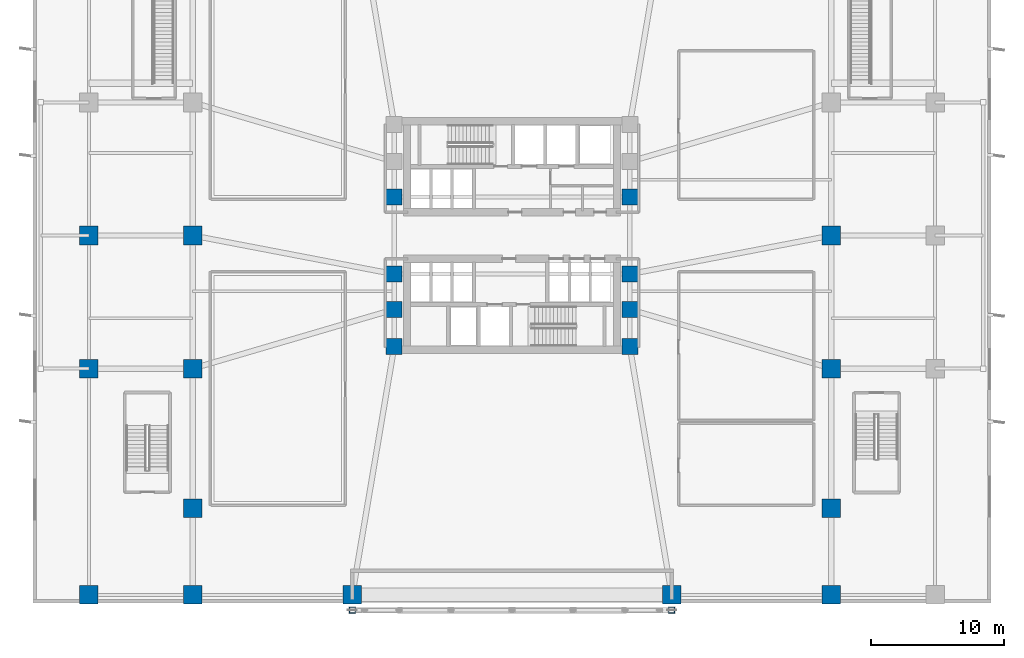
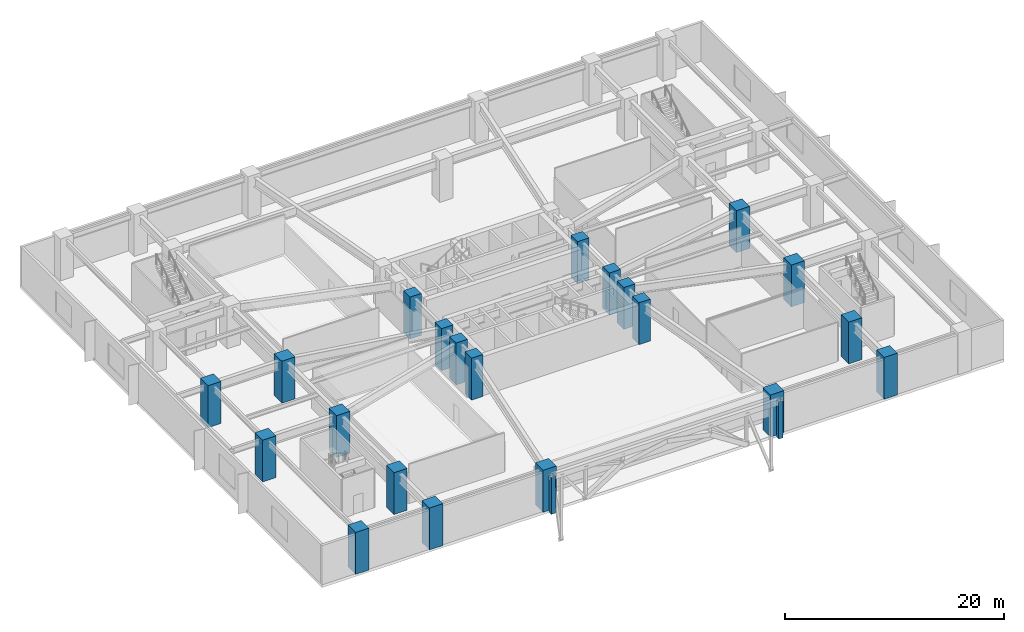
# One storey, part 1 of 21: 23 columns.
"""IFC4 building model written with IfcOpenShell, lengths in metres."""

import ifcopenshell
import ifcopenshell.guid

model = None  # the IFC model being written
_history = None  # IfcOwnerHistory: only IFC2X3 demands one
_inside = {}  # id of a spatial element -> (the spatial element, [elements in it])
_under = {}  # id of a project, library or spatial element -> (it, [spatial elements below it])
_declared = {}  # id of a project -> (the project, [libraries it declares])
_typed = {}  # id of a type object -> (the type object, [elements of that type])
_made_of = {}  # id of a material, layer set ... -> (it, [elements and type objects made of it])


def new_model(schema):
    """Start an empty IFC model of exactly this schema.

    Asked for "IFC4X3", IfcOpenShell would pick the latest addendum, in which some entities
    have other attributes; the version numbers below select the first issue.
    IFC2X3 requires an IfcOwnerHistory on every rooted entity: one is made here for all.
    """
    global model, _history
    if schema == "IFC4X3":
        model = ifcopenshell.file(schema_version=(4, 3, 0, 0))
    else:
        model = ifcopenshell.file(schema=schema)
    _inside.clear()
    _under.clear()
    _declared.clear()
    _typed.clear()
    _made_of.clear()
    _history = None
    if model.schema == "IFC2X3":
        org = make("IfcOrganization", Name="unknown")
        user = make(
            "IfcPersonAndOrganization",
            ThePerson=make("IfcPerson", FamilyName="unknown"),
            TheOrganization=org,
        )
        app = make(
            "IfcApplication",
            ApplicationDeveloper=org,
            Version="unknown",
            ApplicationFullName="unknown",
            ApplicationIdentifier="unknown",
        )
        _history = make(
            "IfcOwnerHistory",
            OwningUser=user,
            OwningApplication=app,
            ChangeAction="ADDED",
            CreationDate=0,
        )
    return model


def make(cls, **values):
    """One entity of the class cls with the attributes given. An attribute that is None is left unset."""
    return model.create_entity(
        cls, **{name: value for name, value in values.items() if value is not None}
    )


def rooted(cls, **values):
    """An entity with a GlobalId (a new one), such as an element, a storey or a relation."""
    return make(cls, GlobalId=ifcopenshell.guid.new(), OwnerHistory=_history, **values)


def si_unit(unit_type, name, prefix=None):
    """IfcSIUnit, for example si_unit("LENGTHUNIT", "METRE", prefix="MILLI")."""
    return make("IfcSIUnit", UnitType=unit_type, Prefix=prefix, Name=name)


def assignment(units):
    """IfcUnitAssignment: the units of a project."""
    return None if units is None else make("IfcUnitAssignment", Units=units)


def point(xyz):
    """IfcCartesianPoint."""
    return None if xyz is None else make("IfcCartesianPoint", Coordinates=xyz)


def direction(xyz):
    """IfcDirection."""
    return None if xyz is None else make("IfcDirection", DirectionRatios=xyz)


def frame(location, z_axis=None, x_axis=None):
    """IfcAxis2Placement3D, a coordinate frame: its origin and axes. An axis left out is left unset."""
    return make(
        "IfcAxis2Placement3D",
        Location=point(location),
        Axis=direction(z_axis),
        RefDirection=direction(x_axis),
    )


def frame_2d(location, x_axis=None):
    """IfcAxis2Placement2D, a coordinate frame in the plane: its origin and x axis."""
    return make(
        "IfcAxis2Placement2D", Location=point(location), RefDirection=direction(x_axis)
    )


def origin():
    """The frame at (0, 0, 0) with its axes left unset."""
    return frame((0.0, 0.0, 0.0))


def origin_2d():
    """The frame at (0, 0) in the plane with its x axis left unset."""
    return frame_2d((0.0, 0.0))


def place(relative_to, where):
    """IfcLocalPlacement: puts the frame where relative to a parent placement (None: the world)."""
    return make(
        "IfcLocalPlacement", PlacementRelTo=relative_to, RelativePlacement=where
    )


def context(
    kind, dimensions, precision=None, world=None, true_north=None, identifier=None
):
    """IfcGeometricRepresentationContext, for example the 3D "Model" context."""
    return make(
        "IfcGeometricRepresentationContext",
        ContextIdentifier=identifier,
        ContextType=kind,
        CoordinateSpaceDimension=dimensions,
        Precision=precision,
        WorldCoordinateSystem=world,
        TrueNorth=true_north,
    )


def subcontext(parent, identifier, kind, view, scale=None):
    """IfcGeometricRepresentationSubContext, for example "Body" below "Model"."""
    return make(
        "IfcGeometricRepresentationSubContext",
        ContextIdentifier=identifier,
        ContextType=kind,
        ParentContext=parent,
        TargetScale=scale,
        TargetView=view,
    )


def project(units=None, contexts=None):
    """IfcProject with its units and contexts."""
    return rooted(
        "IfcProject",
        Name="project",
        RepresentationContexts=contexts,
        UnitsInContext=assignment(units),
    )


def spatial(cls, under=None, at=None, **own):
    """A site, building, storey or space (cls), placed at a placement, below another one or the project."""
    s = rooted(cls, ObjectPlacement=at, **own)
    if under is not None:
        _under.setdefault(under.id(), (under, []))[1].append(s)
    return s


def profile(cls, at=None, kind="AREA", **sizes):
    """A parametric profile (cls). Its sizes go by their IFC names, for example OverallWidth=200.0."""
    return make(cls, ProfileType=kind, Position=at, **sizes)


def rectangle(**sizes):
    """IfcRectangleProfileDef."""
    return profile("IfcRectangleProfileDef", **sizes)


def hollow_rectangle(**sizes):
    """IfcRectangleHollowProfileDef."""
    return profile("IfcRectangleHollowProfileDef", **sizes)


def extrude(swept, where, along, depth):
    """IfcExtrudedAreaSolid: the profile swept, set in the frame where, extruded along a direction by depth."""
    return make(
        "IfcExtrudedAreaSolid",
        SweptArea=swept,
        Position=where,
        ExtrudedDirection=direction(along),
        Depth=depth,
    )


def shape(context_of_items, identifier, shape_type, items):
    """IfcShapeRepresentation: the items that make up one representation, for example the "Body"."""
    return make(
        "IfcShapeRepresentation",
        ContextOfItems=context_of_items,
        RepresentationIdentifier=identifier,
        RepresentationType=shape_type,
        Items=items,
    )


def material(Name=None, Category=None):
    """IfcMaterial."""
    return make("IfcMaterial", Name=Name, Category=Category)


def material_profile(
    of_material, cross_section, Name=None, Category=None, Priority=None
):
    """IfcMaterialProfile: a cross section and its material."""
    return make(
        "IfcMaterialProfile",
        Name=Name,
        Material=of_material,
        Profile=cross_section,
        Priority=Priority,
        Category=Category,
    )


def profile_set(profiles, Name=None, composite=None):
    """IfcMaterialProfileSet."""
    return make(
        "IfcMaterialProfileSet",
        Name=Name,
        MaterialProfiles=profiles,
        CompositeProfile=composite,
    )


def made_of(thing, what):
    """Note that an element or type object is made of a material, layer set ...; save() writes the relation."""
    if what is not None:
        _made_of.setdefault(what.id(), (what, []))[1].append(thing)
    return thing


def type_object(cls, material=None, **own):
    """A type object (cls), such as IfcWallType, which elements share."""
    return made_of(rooted(cls, **own), material)


def element(
    cls,
    number,
    at=None,
    inside=None,
    cuts=None,
    type_object=None,
    material=None,
    context=None,
    identifier="Body",
    shape_type=None,
    held_by="IfcProductDefinitionShape",
    body=None,
    shapes=None,
    **own,
):
    """One element of the class cls, such as IfcWall. Its Tag is "e" and its number.

    at: its placement. inside: the storey or other place that contains it. cuts: it is an
    opening in that element (IfcRelVoidsElement). A single representation is given by context,
    identifier, shape_type and body (its items); several are given by shapes. held_by: the class
    of the entity that holds the representations. save() writes the other relations.
    """
    e = rooted(cls, Tag="e%d" % number, ObjectPlacement=at, **own)
    if body is not None:
        shapes = [shape(context, identifier, shape_type, body)]
    if shapes is not None:
        e.Representation = make(held_by, Representations=shapes)
    if inside is not None:
        _inside.setdefault(inside.id(), (inside, []))[1].append(e)
    if cuts is not None:
        rooted(
            "IfcRelVoidsElement", RelatingBuildingElement=cuts, RelatedOpeningElement=e
        )
    if type_object is not None:
        _typed.setdefault(type_object.id(), (type_object, []))[1].append(e)
    return made_of(e, material)


def aggregate(whole, parts):
    """IfcRelAggregates: a whole, such as a stair, and the parts it consists of."""
    return rooted("IfcRelAggregates", RelatingObject=whole, RelatedObjects=parts)


def save(model, path):
    """Write the relations noted so far, then the file.

    IfcRelAggregates (storeys below a building ...), IfcRelContainedInSpatialStructure (elements
    in a storey), IfcRelDefinesByType, IfcRelAssociatesMaterial and IfcRelDeclares: one each for
    every whole, place, type object, material and project.
    """
    for whole, parts in _under.values():
        aggregate(whole, parts)
    for where, things in _inside.values():
        rooted(
            "IfcRelContainedInSpatialStructure",
            RelatedElements=things,
            RelatingStructure=where,
        )
    for kind, things in _typed.values():
        rooted("IfcRelDefinesByType", RelatedObjects=things, RelatingType=kind)
    for what, things in _made_of.values():
        rooted("IfcRelAssociatesMaterial", RelatedObjects=things, RelatingMaterial=what)
    for by, libraries in _declared.values():
        rooted("IfcRelDeclares", RelatingContext=by, RelatedDefinitions=libraries)
    model.write(path)


model = new_model("IFC4")

# Units and contexts
model_context = context("Model", 3, precision=1e-05, world=origin(), true_north=direction((0.0, 1.0)))
body_context = subcontext(model_context, "Body", "Model", "MODEL_VIEW")
ifc_project = project(units=[si_unit("LENGTHUNIT", "METRE"), si_unit("AREAUNIT", "SQUARE_METRE"), si_unit("VOLUMEUNIT", "CUBIC_METRE"), si_unit("PLANEANGLEUNIT", "RADIAN"), si_unit("MASSUNIT", "GRAM", prefix="KILO")], contexts=[model_context])

# Site, building, storey
site_placement = place(None, origin())
site = spatial("IfcSite", under=ifc_project, at=site_placement, CompositionType="ELEMENT")
building_placement = place(site_placement, origin())
building = spatial("IfcBuilding", under=site, at=building_placement, Name="Solmarez Civic Tower", CompositionType="ELEMENT")
storey_placement = place(building_placement, frame((0.0, 0.0, 10.080078125)))
storey = spatial("IfcBuildingStorey", under=building, at=storey_placement, Name="L02", CompositionType="ELEMENT", Elevation=10.080078125)

# Columns
ifc_material_1 = material(Name="Steel S355", Category="steel")
ifc_material_profile_1 = material_profile(ifc_material_1, hollow_rectangle(XDim=0.449951171875, YDim=0.449951171875, WallThickness=0.02197265625, at=origin_2d()), Name="HSS450X450X22")
ifc_profile_set_1 = profile_set([ifc_material_profile_1], Name="Steel S355")
column_type_1 = type_object("IfcColumnType", Name="COL-HSS450", PredefinedType="COLUMN", material=ifc_profile_set_1)
for number, where, z_axis, x_axis, name in (
    (1, (-12.0, -28.14990234375, 0.0), (0.0, 0.0, 1.0), (1.0, 0.0, 0.0), "L02 South Giant Civic Arch Pier W"),
    (2, (12.0, -28.14990234375, 0.0), (0.0, 0.0, 1.0), (1.0, 0.0, 0.0), "L02 South Giant Civic Arch Pier E"),
):
    element("IfcColumn", number, at=place(storey_placement, frame(where, z_axis=z_axis, x_axis=x_axis)), inside=storey, type_object=column_type_1, Name=name, PredefinedType="COLUMN", context=body_context, shape_type="SweptSolid", body=[
        extrude(hollow_rectangle(XDim=0.449951171875, YDim=0.449951171875, WallThickness=0.02197265625, at=origin_2d()), origin(), (0.0, 0.0, 1.0), 4.169921875),
    ])
ifc_material_2 = material(Name="Concrete C60/75", Category="concrete")
ifc_material_profile_2 = material_profile(ifc_material_2, rectangle(XDim=1.199951171875, YDim=1.199951171875, at=origin_2d()), Name="RC1200X1200")
ifc_profile_set_2 = profile_set([ifc_material_profile_2], Name="Concrete C60/75")
column_type_2 = type_object("IfcColumnType", Name="COL-RC1200", PredefinedType="COLUMN", material=ifc_profile_set_2)
for number, where, z_axis, x_axis, name in (
    (3, (-8.85009765625, -5.550048828125, 0.0), (0.0, 0.0, 1.0), (1.0, 0.0, 0.0), "L02 Structural Column HC1"),
    (4, (-8.85009765625, -2.89990234375, 0.0), (0.0, 0.0, 1.0), (1.0, 0.0, 0.0), "L02 Structural Column HC2"),
    (5, (-8.85009765625, 2.89990234375, 0.0), (0.0, 0.0, 1.0), (1.0, 0.0, 0.0), "L02 Structural Column HC3"),
    (6, (8.85009765625, -5.550048828125, 0.0), (0.0, 0.0, 1.0), (1.0, 0.0, 0.0), "L02 Structural Column HC5"),
    (7, (8.85009765625, -2.89990234375, 0.0), (0.0, 0.0, 1.0), (1.0, 0.0, 0.0), "L02 Structural Column HC6"),
    (8, (8.85009765625, 2.89990234375, 0.0), (0.0, 0.0, 1.0), (1.0, 0.0, 0.0), "L02 Structural Column HC7"),
    (9, (8.85009765625, -8.35009765625, 0.0), (0.0, 0.0, 1.0), (1.0, 0.0, 0.0), "L02 Structural Column HC10"),
    (10, (-8.85009765625, -8.35009765625, 0.0), (0.0, 0.0, 1.0), (1.0, 0.0, 0.0), "L02 Structural Column HC12"),
):
    element("IfcColumn", number, at=place(storey_placement, frame(where, z_axis=z_axis, x_axis=x_axis)), inside=storey, type_object=column_type_2, Name=name, PredefinedType="COLUMN", context=body_context, shape_type="SweptSolid", body=[
        extrude(rectangle(XDim=1.199951171875, YDim=1.199951171875, at=origin_2d()), origin(), (0.0, 0.0, 1.0), 4.679931640625),
    ])
ifc_material_profile_3 = material_profile(ifc_material_2, rectangle(XDim=1.39990234375, YDim=1.39990234375, at=origin_2d()), Name="RC1400X1400")
ifc_profile_set_3 = profile_set([ifc_material_profile_3], Name="Concrete C60/75")
column_type_3 = type_object("IfcColumnType", Name="COL-RC1400", PredefinedType="COLUMN", material=ifc_profile_set_3)
for number, where, z_axis, x_axis, name in (
    (11, (-31.800048828125, -27.0, 0.0), (0.0, 0.0, 1.0), (1.0, 0.0, 0.0), "L02 Structural Column PC01"),
    (12, (-24.0, -27.0, 0.0), (0.0, 0.0, 1.0), (1.0, 0.0, 0.0), "L02 Structural Column PC02"),
    (13, (-12.0, -27.0, 0.0), (0.0, 0.0, 1.0), (1.0, 0.0, 0.0), "L02 Structural Column PC03"),
    (14, (12.0, -27.0, 0.0), (0.0, 0.0, 1.0), (1.0, 0.0, 0.0), "L02 Structural Column PC04"),
    (15, (24.0, -27.0, 0.0), (0.0, 0.0, 1.0), (1.0, 0.0, 0.0), "L02 Structural Column PC05"),
    (16, (-31.800048828125, -10.0, 0.0), (0.0, 0.0, 1.0), (1.0, 0.0, 0.0), "L02 Structural Column PC13"),
    (17, (-31.800048828125, 0.0, 0.0), (0.0, 0.0, 1.0), (1.0, 0.0, 0.0), "L02 Structural Column PC14"),
    (18, (-24.0, -10.0, 0.0), (0.0, 0.0, 1.0), (1.0, 0.0, 0.0), "L02 Structural Column PC19"),
    (19, (-24.0, 0.0, 0.0), (0.0, 0.0, 1.0), (1.0, 0.0, 0.0), "L02 Structural Column PC20"),
    (20, (24.0, -10.0, 0.0), (0.0, 0.0, 1.0), (1.0, 0.0, 0.0), "L02 Structural Column PC22"),
    (21, (24.0, 0.0, 0.0), (0.0, 0.0, 1.0), (1.0, 0.0, 0.0), "L02 Structural Column PC23"),
    (22, (-24.0, -20.5, 0.0), (0.0, 0.0, 1.0), (1.0, 0.0, 0.0), "L02 Structural Column PC27"),
    (23, (24.0, -20.5, 0.0), (0.0, 0.0, 1.0), (1.0, 0.0, 0.0), "L02 Structural Column PC28"),
):
    element("IfcColumn", number, at=place(storey_placement, frame(where, z_axis=z_axis, x_axis=x_axis)), inside=storey, type_object=column_type_3, Name=name, PredefinedType="COLUMN", context=body_context, shape_type="SweptSolid", body=[
        extrude(rectangle(XDim=1.39990234375, YDim=1.39990234375, at=origin_2d()), origin(), (0.0, 0.0, 1.0), 4.679931640625),
    ])

save(model, "model.ifc")
